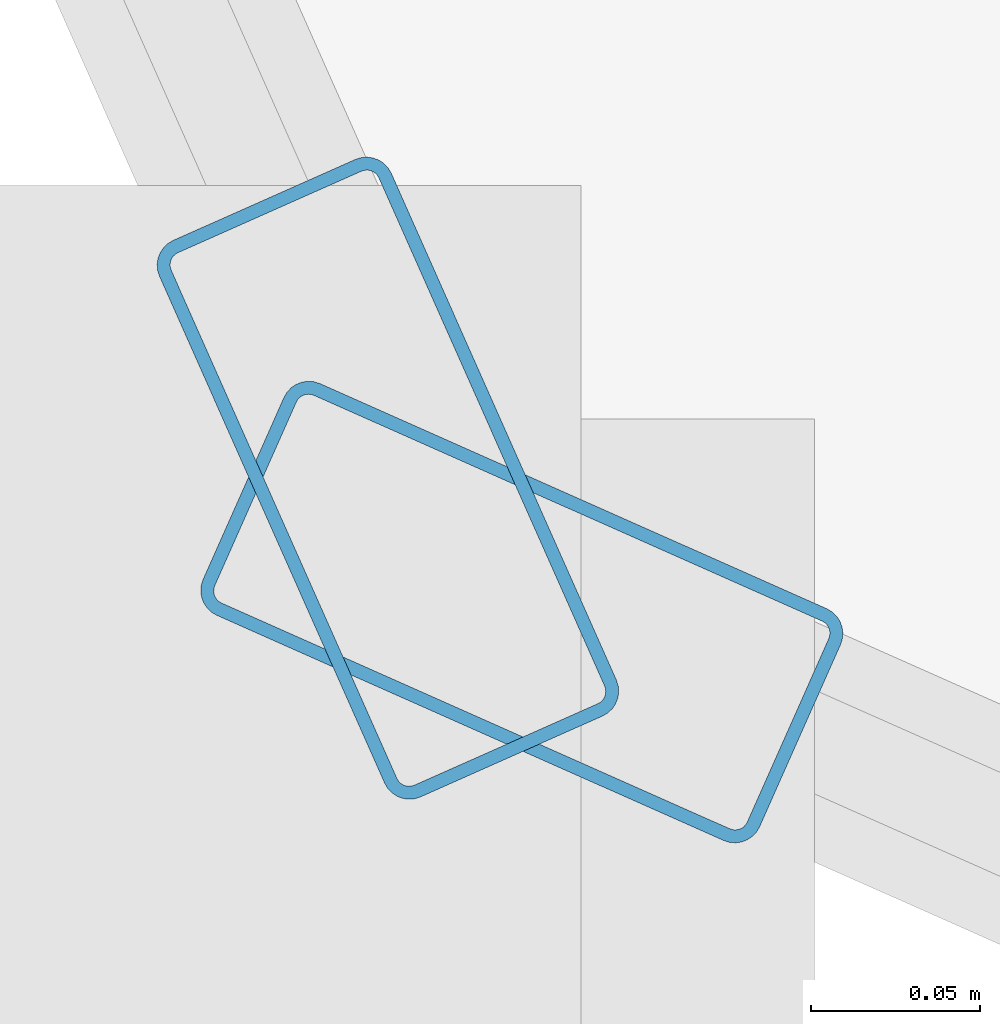
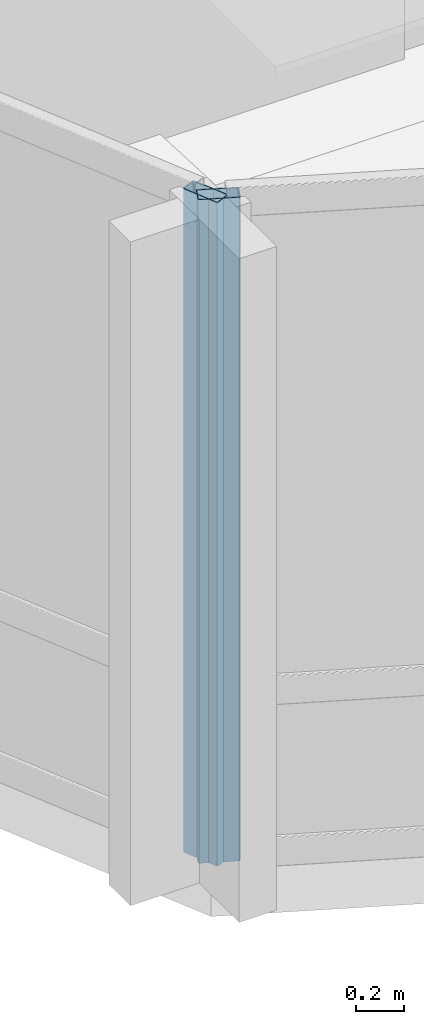
# One storey, part 2 of 29: 2 members, 2 elements without a shape of their own.
"""IFC4 building model written with IfcOpenShell, lengths in metres."""

from ifc_helpers import new_model, si_unit, direction, frame, origin, origin_2d, place, context, subcontext, project, spatial, hollow_rectangle, extrude, material, layer, layer_set, material_profile, profile_set, type_object, element, aggregate, save


model = new_model("IFC4")

# Units and contexts
model_context = context("Model", 3, precision=1e-05, world=origin(), true_north=direction((0.0, 1.0)))
body_context = subcontext(model_context, "Body", "Model", "MODEL_VIEW")
ifc_project = project(units=[si_unit("LENGTHUNIT", "METRE"), si_unit("AREAUNIT", "SQUARE_METRE"), si_unit("VOLUMEUNIT", "CUBIC_METRE"), si_unit("PLANEANGLEUNIT", "RADIAN"), si_unit("MASSUNIT", "GRAM", prefix="KILO")], contexts=[model_context])

# Site, building, storey
site_placement = place(None, origin())
site = spatial("IfcSite", under=ifc_project, at=site_placement, CompositionType="ELEMENT")
building_placement = place(site_placement, origin())
building = spatial("IfcBuilding", under=site, at=building_placement, Name="Solvaryn Broadcast Tower", CompositionType="ELEMENT")
storey_placement = place(building_placement, frame((0.0, 0.0, 165.5)))
storey = spatial("IfcBuildingStorey", under=building, at=storey_placement, Name="L41", CompositionType="ELEMENT", Elevation=165.5)

# Curtain wall, member
ifc_material_1 = material(Name="Aluminium and Terracotta Unitised Curtain Wall", Category="masonry")
ifc_layer = layer(ifc_material_1, 0.199951171875)
ifc_layer_set = layer_set([ifc_layer], Name="CW-SYS2-LOWMID")
curtain_wall_type = type_object("IfcCurtainWallType", Name="CW-SYS2-LOWMID", PredefinedType="NOTDEFINED", material=ifc_layer_set)
curtain_wall_1_placement = place(storey_placement, origin())
curtain_wall_1 = element("IfcCurtainWall", 1, at=curtain_wall_1_placement, inside=storey, type_object=curtain_wall_type, Name="L41 Curtain Wall DR2", PredefinedType="NOTDEFINED")
ifc_material_2 = material(Name="Anodised Aluminium 6063-T6", Category="aluminium")
ifc_material_profile = material_profile(ifc_material_2, hollow_rectangle(XDim=0.074951171875, YDim=0.179931640625, WallThickness=0.00390625, InnerFilletRadius=0.00390625, OuterFilletRadius=0.008056640625, at=origin_2d()))
ifc_profile_set = profile_set([ifc_material_profile], Name="Anodised Aluminium 6063-T6")
member_type = type_object("IfcMemberType", Name="CW-MUL-180", PredefinedType="MULLION", material=ifc_profile_set)
member_1_placement = place(storey_placement, frame((8.895751953125, 8.935302734375, 0.0), z_axis=(0.0, 0.0, 1.0), x_axis=(0.913909311008, 0.405918429309, 0.0)))
member_1 = element("IfcMember", 2, at=member_1_placement, type_object=member_type, Name="CWS2 mullion 2", PredefinedType="MULLION", context=body_context, shape_type="SweptSolid", body=[
    extrude(hollow_rectangle(XDim=0.074951171875, YDim=0.179931640625, WallThickness=0.00390625, InnerFilletRadius=0.00390625, OuterFilletRadius=0.008056640625, at=origin_2d()), origin(), (0.0, 0.0, 1.0), 3.3701171875),
])
aggregate(curtain_wall_1, [member_1])

curtain_wall_2_placement = place(storey_placement, origin())
curtain_wall_2 = element("IfcCurtainWall", 3, at=curtain_wall_2_placement, inside=storey, type_object=curtain_wall_type, Name="L41 Curtain Wall DR3", PredefinedType="NOTDEFINED")
member_2_placement = place(storey_placement, frame((8.935302734375, 8.895751953125, 0.0), z_axis=(0.0, 0.0, 1.0), x_axis=(0.405918429309, 0.913909311008, 0.0)))
member_2 = element("IfcMember", 4, at=member_2_placement, type_object=member_type, Name="CWS2 mullion 1", PredefinedType="MULLION", context=body_context, shape_type="SweptSolid", body=[
    extrude(hollow_rectangle(XDim=0.074951171875, YDim=0.179931640625, WallThickness=0.00390625, InnerFilletRadius=0.00390625, OuterFilletRadius=0.008056640625, at=origin_2d()), origin(), (0.0, 0.0, 1.0), 3.3701171875),
])
aggregate(curtain_wall_2, [member_2])

save(model, "model.ifc")
